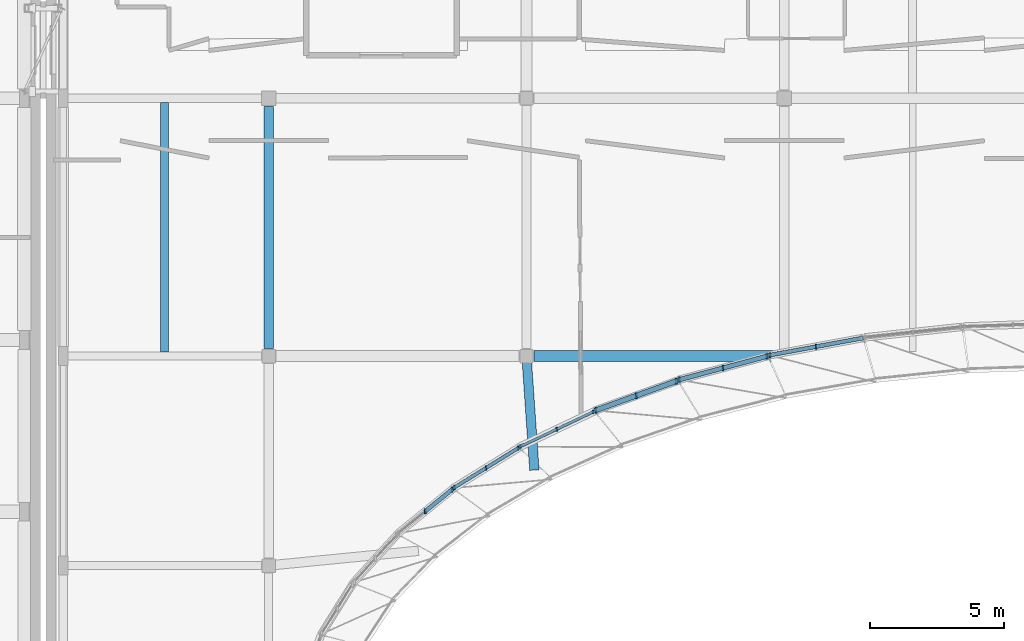
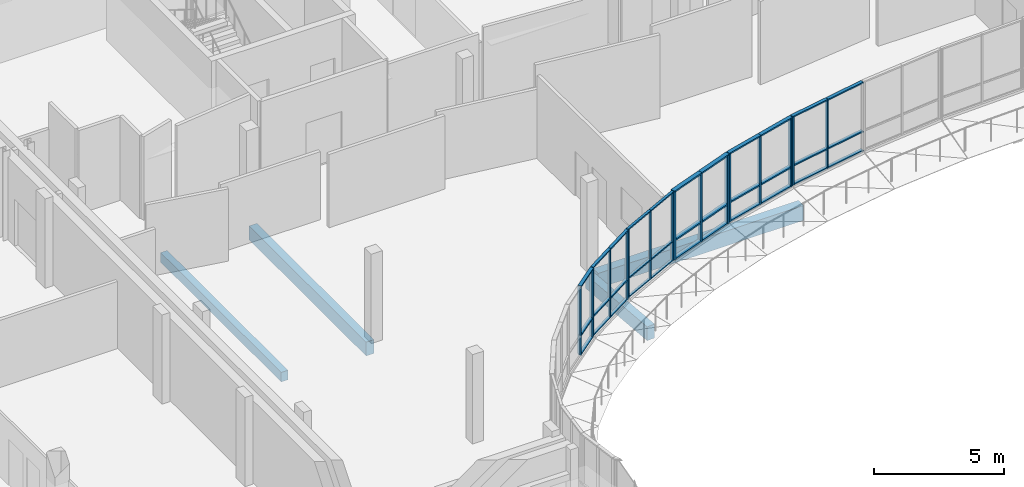
# One storey, part 21 of 84: 49 members, 4 beams, 6 elements without a shape of their own.
"""IFC4 building model written with IfcOpenShell, lengths in metres."""

from ifc_helpers import new_model, si_unit, direction, frame, origin, origin_2d, place, context, subcontext, project, spatial, rectangle, extrude, material, material_profile, profile_set, type_object, element, aggregate, save


model = new_model("IFC4")

# Units and contexts
model_context = context("Model", 3, precision=1e-05, world=origin(), true_north=direction((0.0, 1.0)))
body_context = subcontext(model_context, "Body", "Model", "MODEL_VIEW")
ifc_project = project(units=[si_unit("LENGTHUNIT", "METRE"), si_unit("AREAUNIT", "SQUARE_METRE"), si_unit("VOLUMEUNIT", "CUBIC_METRE"), si_unit("PLANEANGLEUNIT", "RADIAN"), si_unit("MASSUNIT", "GRAM", prefix="KILO")], contexts=[model_context])

# Site, building, storey
site_placement = place(None, origin())
site = spatial("IfcSite", under=ifc_project, at=site_placement, CompositionType="ELEMENT")
building_placement = place(site_placement, origin())
building = spatial("IfcBuilding", under=site, at=building_placement, Name="Mzevani Central Library", CompositionType="ELEMENT")
storey_placement = place(building_placement, frame((0.0, 0.0, 5.39990234375)))
storey = spatial("IfcBuildingStorey", under=building, at=storey_placement, Name="L01", CompositionType="ELEMENT", Elevation=5.39990234375)

# Beams
ifc_material_1 = material(Name="Concrete C35/45", Category="concrete")
ifc_material_profile_1 = material_profile(ifc_material_1, rectangle(XDim=0.35009765625, YDim=0.64990234375, at=origin_2d()), Name="RC B350x650")
ifc_profile_set_1 = profile_set([ifc_material_profile_1], Name="Concrete C35/45")
beam_type_1 = type_object("IfcBeamType", Name="Beam RC 350x650", PredefinedType="BEAM", material=ifc_profile_set_1)
beam_1_placement = place(storey_placement, frame((54.39990234375, 90.675048828125, -0.60498046875), z_axis=(0.0, 1.0, 0.0), x_axis=(-1.0, 0.0, 0.0)))
element("IfcBeam", 1, at=beam_1_placement, inside=storey, type_object=beam_type_1, Name="L01 V3 Frame Beam B-05 (500)", PredefinedType="BEAM", context=body_context, shape_type="SweptSolid", body=[
    extrude(rectangle(XDim=0.35009765625, YDim=0.64990234375, at=origin_2d()), origin(), (0.0, 0.0, 1.0), 9.02490234375),
])
beam_2_placement = place(storey_placement, frame((64.0, 90.39990234375, -0.60498046875), z_axis=(0.069097528107, -0.997609909539, 0.0), x_axis=(0.997609909539, 0.069097528107, 0.0)))
element("IfcBeam", 2, at=beam_2_placement, inside=storey, type_object=beam_type_1, Name="L01 V3 Court Ring Beam 13", PredefinedType="BEAM", context=body_context, shape_type="SweptSolid", body=[
    extrude(rectangle(XDim=0.35009765625, YDim=0.64990234375, at=origin_2d()), origin(), (0.0, 0.0, 1.0), 4.254150390625),
])
ifc_material_profile_2 = material_profile(ifc_material_1, rectangle(XDim=0.39990234375, YDim=0.699951171875, at=origin_2d()), Name="RC B400x700")
ifc_profile_set_2 = profile_set([ifc_material_profile_2], Name="Concrete C35/45")
beam_type_2 = type_object("IfcBeamType", Name="Beam RC 400x700", PredefinedType="BEAM", material=ifc_profile_set_2)
beam_3_placement = place(storey_placement, frame((64.27490234375, 90.39990234375, -0.6298828125), z_axis=(1.0, 0.0, 0.0), x_axis=(0.0, 1.0, 0.0)))
element("IfcBeam", 3, at=beam_3_placement, inside=storey, type_object=beam_type_2, Name="L01 V3 Girder B-08 (455)", PredefinedType="BEAM", context=body_context, shape_type="SweptSolid", body=[
    extrude(rectangle(XDim=0.39990234375, YDim=0.699951171875, at=origin_2d()), origin(), (0.0, 0.0, 1.0), 9.150146484375),
])

# Curtain wall, members
ifc_material_2 = material(Name="Thermally broken aluminium and Low-E triple glazing", Category="aluminium")
curtain_wall_type_1 = type_object("IfcCurtainWallType", Name="Elliptical Court Unitised Curtain Wall", PredefinedType="NOTDEFINED", material=ifc_material_2)
curtain_wall_1_placement = place(storey_placement, origin())
curtain_wall_1 = element("IfcCurtainWall", 4, at=curtain_wall_1_placement, inside=storey, type_object=curtain_wall_type_1, Name="L01 Elliptical Court Curtain Wall 18", PredefinedType="NOTDEFINED")
ifc_material_3 = material(Name="Thermally broken aluminium AW-6060", Category="aluminium")
ifc_material_profile_3 = material_profile(ifc_material_3, rectangle(XDim=0.06005859375, YDim=0.139892578125, at=origin_2d()), Name="ALU M60x140")
ifc_profile_set_3 = profile_set([ifc_material_profile_3], Name="Thermally broken aluminium AW-6060")
member_type_1 = type_object("IfcMemberType", Name="CW Mullion 60x140", PredefinedType="MULLION", material=ifc_profile_set_3)
member_1_placement = place(storey_placement, frame((66.47900390625, 88.32177734375, 0.72021484375), z_axis=(0.0, 0.0, 1.0), x_axis=(1.0, 0.0, 0.0)))
member_1 = element("IfcMember", 5, at=member_1_placement, type_object=member_type_1, Name="L01 Elliptical Court Curtain Wall 18 Mullion 1", PredefinedType="MULLION", context=body_context, shape_type="SweptSolid", body=[
    extrude(rectangle(XDim=0.06005859375, YDim=0.139892578125, at=origin_2d()), origin(), (0.0, 0.0, 1.0), 3.199951171875),
])
member_2_placement = place(storey_placement, frame((65.127685546875, 87.678466796875, 0.72021484375), z_axis=(0.0, 0.0, 1.0), x_axis=(1.0, 0.0, 0.0)))
member_2 = element("IfcMember", 6, at=member_2_placement, type_object=member_type_1, Name="L01 Elliptical Court Curtain Wall 18 Mullion 2", PredefinedType="MULLION", context=body_context, shape_type="SweptSolid", body=[
    extrude(rectangle(XDim=0.06005859375, YDim=0.139892578125, at=origin_2d()), origin(), (0.0, 0.0, 1.0), 3.199951171875),
])
member_3_placement = place(storey_placement, frame((63.7763671875, 87.035400390625, 0.72021484375), z_axis=(0.0, 0.0, 1.0), x_axis=(1.0, 0.0, 0.0)))
member_3 = element("IfcMember", 7, at=member_3_placement, type_object=member_type_1, Name="L01 Elliptical Court Curtain Wall 18 Mullion 3", PredefinedType="MULLION", context=body_context, shape_type="SweptSolid", body=[
    extrude(rectangle(XDim=0.06005859375, YDim=0.139892578125, at=origin_2d()), origin(), (0.0, 0.0, 1.0), 3.199951171875),
])

curtain_wall_type_2 = type_object("IfcCurtainWallType", Name="Reading Hall Northlight Curtain Wall", PredefinedType="NOTDEFINED", material=ifc_material_2)
curtain_wall_2_placement = place(storey_placement, origin())
curtain_wall_2 = element("IfcCurtainWall", 8, at=curtain_wall_2_placement, inside=storey, type_object=curtain_wall_type_2, Name="L01 Elliptical Court Curtain Wall 19", PredefinedType="NOTDEFINED")
ifc_material_profile_4 = material_profile(ifc_material_3, rectangle(XDim=0.06005859375, YDim=0.159912109375, at=origin_2d()), Name="ALU M60x160")
ifc_profile_set_4 = profile_set([ifc_material_profile_4], Name="Thermally broken aluminium AW-6060")
member_type_2 = type_object("IfcMemberType", Name="CW Mullion 60x160", PredefinedType="MULLION", material=ifc_profile_set_4)
member_4_placement = place(storey_placement, frame((63.677001953125, 86.96630859375, 0.72021484375), z_axis=(0.0, 0.0, 1.0), x_axis=(1.0, 0.0, 0.0)))
member_4 = element("IfcMember", 9, at=member_4_placement, type_object=member_type_2, Name="L01 Elliptical Court Curtain Wall 19 Mullion 1", PredefinedType="MULLION", context=body_context, shape_type="SweptSolid", body=[
    extrude(rectangle(XDim=0.06005859375, YDim=0.159912109375, at=origin_2d()), origin(), (0.0, 0.0, 1.0), 3.199951171875),
])
member_5_placement = place(storey_placement, frame((62.494873046875, 86.23486328125, 0.72021484375), z_axis=(0.0, 0.0, 1.0), x_axis=(1.0, 0.0, 0.0)))
member_5 = element("IfcMember", 10, at=member_5_placement, type_object=member_type_2, Name="L01 Elliptical Court Curtain Wall 19 Mullion 2", PredefinedType="MULLION", context=body_context, shape_type="SweptSolid", body=[
    extrude(rectangle(XDim=0.06005859375, YDim=0.159912109375, at=origin_2d()), origin(), (0.0, 0.0, 1.0), 3.199951171875),
])
member_6_placement = place(storey_placement, frame((61.3125, 85.50341796875, 0.72021484375), z_axis=(0.0, 0.0, 1.0), x_axis=(1.0, 0.0, 0.0)))
member_6 = element("IfcMember", 11, at=member_6_placement, type_object=member_type_2, Name="L01 Elliptical Court Curtain Wall 19 Mullion 3", PredefinedType="MULLION", context=body_context, shape_type="SweptSolid", body=[
    extrude(rectangle(XDim=0.06005859375, YDim=0.159912109375, at=origin_2d()), origin(), (0.0, 0.0, 1.0), 3.199951171875),
])

curtain_wall_3_placement = place(storey_placement, origin())
curtain_wall_3 = element("IfcCurtainWall", 12, at=curtain_wall_3_placement, inside=storey, type_object=curtain_wall_type_1, Name="L01 Elliptical Court Curtain Wall 15", PredefinedType="NOTDEFINED")
ifc_material_profile_5 = material_profile(ifc_material_3, rectangle(XDim=0.06005859375, YDim=0.179931640625, at=origin_2d()), Name="ALU M60x180")
ifc_profile_set_5 = profile_set([ifc_material_profile_5], Name="Thermally broken aluminium AW-6060")
member_type_3 = type_object("IfcMemberType", Name="CW Mullion 60x180", PredefinedType="MULLION", material=ifc_profile_set_5)
member_7_placement = place(storey_placement, frame((74.77392578125, 90.749755859375, 0.72021484375), z_axis=(0.0, 0.0, 1.0), x_axis=(1.0, 0.0, 0.0)))
member_7 = element("IfcMember", 13, at=member_7_placement, type_object=member_type_3, Name="L01 Elliptical Court Curtain Wall 15 Mullion 2", PredefinedType="MULLION", context=body_context, shape_type="SweptSolid", body=[
    extrude(rectangle(XDim=0.06005859375, YDim=0.179931640625, at=origin_2d()), origin(), (0.0, 0.0, 1.0), 3.199951171875),
])
member_8_placement = place(storey_placement, frame((73.064208984375, 90.4345703125, 0.72021484375), z_axis=(0.0, 0.0, 1.0), x_axis=(1.0, 0.0, 0.0)))
member_8 = element("IfcMember", 14, at=member_8_placement, type_object=member_type_3, Name="L01 Elliptical Court Curtain Wall 15 Mullion 3", PredefinedType="MULLION", context=body_context, shape_type="SweptSolid", body=[
    extrude(rectangle(XDim=0.06005859375, YDim=0.179931640625, at=origin_2d()), origin(), (0.0, 0.0, 1.0), 3.199951171875),
])

curtain_wall_4_placement = place(storey_placement, origin())
curtain_wall_4 = element("IfcCurtainWall", 15, at=curtain_wall_4_placement, inside=storey, type_object=curtain_wall_type_1, Name="L01 Elliptical Court Curtain Wall 20", PredefinedType="NOTDEFINED")
member_9_placement = place(storey_placement, frame((61.22314453125, 85.42578125, 0.72021484375), z_axis=(0.0, 0.0, 1.0), x_axis=(1.0, 0.0, 0.0)))
member_9 = element("IfcMember", 16, at=member_9_placement, type_object=member_type_3, Name="L01 Elliptical Court Curtain Wall 20 Mullion 1", PredefinedType="MULLION", context=body_context, shape_type="SweptSolid", body=[
    extrude(rectangle(XDim=0.06005859375, YDim=0.179931640625, at=origin_2d()), origin(), (0.0, 0.0, 1.0), 3.199951171875),
])
member_10_placement = place(storey_placement, frame((60.22998046875, 84.619384765625, 0.72021484375), z_axis=(0.0, 0.0, 1.0), x_axis=(1.0, 0.0, 0.0)))
member_10 = element("IfcMember", 17, at=member_10_placement, type_object=member_type_3, Name="L01 Elliptical Court Curtain Wall 20 Mullion 2", PredefinedType="MULLION", context=body_context, shape_type="SweptSolid", body=[
    extrude(rectangle(XDim=0.06005859375, YDim=0.179931640625, at=origin_2d()), origin(), (0.0, 0.0, 1.0), 3.199951171875),
])

curtain_wall_5_placement = place(storey_placement, origin())
curtain_wall_5 = element("IfcCurtainWall", 18, at=curtain_wall_5_placement, inside=storey, type_object=curtain_wall_type_2, Name="L01 Elliptical Court Curtain Wall 16", PredefinedType="NOTDEFINED")
ifc_material_profile_6 = material_profile(ifc_material_3, rectangle(XDim=0.06494140625, YDim=0.199951171875, at=origin_2d()), Name="ALU M65x200")
ifc_profile_set_6 = profile_set([ifc_material_profile_6], Name="Thermally broken aluminium AW-6060")
member_type_4 = type_object("IfcMemberType", Name="CW Mullion 65x200", PredefinedType="MULLION", material=ifc_profile_set_6)
member_11_placement = place(storey_placement, frame((72.935546875, 90.388916015625, 0.72021484375), z_axis=(0.0, 0.0, 1.0), x_axis=(1.0, 0.0, 0.0)))
member_11 = element("IfcMember", 19, at=member_11_placement, type_object=member_type_4, Name="L01 Elliptical Court Curtain Wall 16 Mullion 1", PredefinedType="MULLION", context=body_context, shape_type="SweptSolid", body=[
    extrude(rectangle(XDim=0.06494140625, YDim=0.199951171875, at=origin_2d()), origin(), (0.0, 0.0, 1.0), 3.199951171875),
])
member_12_placement = place(storey_placement, frame((71.31787109375, 89.9560546875, 0.72021484375), z_axis=(0.0, 0.0, 1.0), x_axis=(1.0, 0.0, 0.0)))
member_12 = element("IfcMember", 20, at=member_12_placement, type_object=member_type_4, Name="L01 Elliptical Court Curtain Wall 16 Mullion 2", PredefinedType="MULLION", context=body_context, shape_type="SweptSolid", body=[
    extrude(rectangle(XDim=0.06494140625, YDim=0.199951171875, at=origin_2d()), origin(), (0.0, 0.0, 1.0), 3.199951171875),
])
member_13_placement = place(storey_placement, frame((69.7001953125, 89.523193359375, 0.72021484375), z_axis=(0.0, 0.0, 1.0), x_axis=(1.0, 0.0, 0.0)))
member_13 = element("IfcMember", 21, at=member_13_placement, type_object=member_type_4, Name="L01 Elliptical Court Curtain Wall 16 Mullion 3", PredefinedType="MULLION", context=body_context, shape_type="SweptSolid", body=[
    extrude(rectangle(XDim=0.06494140625, YDim=0.199951171875, at=origin_2d()), origin(), (0.0, 0.0, 1.0), 3.199951171875),
])

curtain_wall_6_placement = place(storey_placement, origin())
curtain_wall_6 = element("IfcCurtainWall", 22, at=curtain_wall_6_placement, inside=storey, type_object=curtain_wall_type_1, Name="L01 Elliptical Court Curtain Wall 17", PredefinedType="NOTDEFINED")
ifc_material_profile_7 = material_profile(ifc_material_3, rectangle(XDim=0.070068359375, YDim=0.219970703125, at=origin_2d()), Name="ALU M70x220")
ifc_profile_set_7 = profile_set([ifc_material_profile_7], Name="Thermally broken aluminium AW-6060")
member_type_5 = type_object("IfcMemberType", Name="CW Mullion 70x220", PredefinedType="MULLION", material=ifc_profile_set_7)
member_14_placement = place(storey_placement, frame((69.582275390625, 89.468994140625, 0.72021484375), z_axis=(0.0, 0.0, 1.0), x_axis=(1.0, 0.0, 0.0)))
member_14 = element("IfcMember", 23, at=member_14_placement, type_object=member_type_5, Name="L01 Elliptical Court Curtain Wall 17 Mullion 1", PredefinedType="MULLION", context=body_context, shape_type="SweptSolid", body=[
    extrude(rectangle(XDim=0.070068359375, YDim=0.219970703125, at=origin_2d()), origin(), (0.0, 0.0, 1.0), 3.199951171875),
])
member_15_placement = place(storey_placement, frame((68.084716796875, 88.926025390625, 0.72021484375), z_axis=(0.0, 0.0, 1.0), x_axis=(1.0, 0.0, 0.0)))
member_15 = element("IfcMember", 24, at=member_15_placement, type_object=member_type_5, Name="L01 Elliptical Court Curtain Wall 17 Mullion 2", PredefinedType="MULLION", context=body_context, shape_type="SweptSolid", body=[
    extrude(rectangle(XDim=0.070068359375, YDim=0.219970703125, at=origin_2d()), origin(), (0.0, 0.0, 1.0), 3.199951171875),
])
member_16_placement = place(storey_placement, frame((66.58740234375, 88.383056640625, 0.72021484375), z_axis=(0.0, 0.0, 1.0), x_axis=(1.0, 0.0, 0.0)))
member_16 = element("IfcMember", 25, at=member_16_placement, type_object=member_type_5, Name="L01 Elliptical Court Curtain Wall 17 Mullion 3", PredefinedType="MULLION", context=body_context, shape_type="SweptSolid", body=[
    extrude(rectangle(XDim=0.070068359375, YDim=0.219970703125, at=origin_2d()), origin(), (0.0, 0.0, 1.0), 3.199951171875),
])

# Member
ifc_material_profile_8 = material_profile(ifc_material_3, rectangle(XDim=0.110107421875, YDim=0.06005859375, at=origin_2d()), Name="ALU T60x110")
ifc_profile_set_8 = profile_set([ifc_material_profile_8], Name="Thermally broken aluminium AW-6060")
member_type_6 = type_object("IfcMemberType", Name="CW Transom 60x110", PredefinedType="USERDEFINED", material=ifc_profile_set_8)
member_17_placement = place(storey_placement, frame((66.524169921875, 88.34326171875, 0.72021484375), z_axis=(-0.902910114925, -0.429829413101, 0.0), x_axis=(0.429829413101, -0.902910114925, 0.0)))
member_17 = element("IfcMember", 26, at=member_17_placement, type_object=member_type_6, Name="L01 Elliptical Court Curtain Wall 18 Transom 1", ObjectType="TRANSOM", PredefinedType="USERDEFINED", context=body_context, shape_type="SweptSolid", body=[
    extrude(rectangle(XDim=0.110107421875, YDim=0.06005859375, at=origin_2d()), origin(), (0.0, 0.0, 1.0), 1.546630859375),
])

member_18_placement = place(storey_placement, frame((66.524169921875, 88.34326171875, 1.6201171875), z_axis=(-0.902910114925, -0.429829413101, 0.0), x_axis=(0.429829413101, -0.902910114925, 0.0)))
member_18 = element("IfcMember", 27, at=member_18_placement, type_object=member_type_6, Name="L01 Elliptical Court Curtain Wall 18 Transom 2", ObjectType="TRANSOM", PredefinedType="USERDEFINED", context=body_context, shape_type="SweptSolid", body=[
    extrude(rectangle(XDim=0.110107421875, YDim=0.06005859375, at=origin_2d()), origin(), (0.0, 0.0, 1.0), 1.546630859375),
])

member_19_placement = place(storey_placement, frame((66.524169921875, 88.34326171875, 3.920166015625), z_axis=(-0.902910114925, -0.429829413101, 0.0), x_axis=(0.429829413101, -0.902910114925, 0.0)))
member_19 = element("IfcMember", 28, at=member_19_placement, type_object=member_type_6, Name="L01 Elliptical Court Curtain Wall 18 Transom 3", ObjectType="TRANSOM", PredefinedType="USERDEFINED", context=body_context, shape_type="SweptSolid", body=[
    extrude(rectangle(XDim=0.110107421875, YDim=0.06005859375, at=origin_2d()), origin(), (0.0, 0.0, 1.0), 1.546630859375),
])

member_20_placement = place(storey_placement, frame((65.127685546875, 87.678466796875, 0.72021484375), z_axis=(-0.902971371622, -0.42970071216, 0.0), x_axis=(0.42970071216, -0.902971371622, 0.0)))
member_20 = element("IfcMember", 29, at=member_20_placement, type_object=member_type_6, Name="L01 Elliptical Court Curtain Wall 18 Transom 4", ObjectType="TRANSOM", PredefinedType="USERDEFINED", context=body_context, shape_type="SweptSolid", body=[
    extrude(rectangle(XDim=0.110107421875, YDim=0.06005859375, at=origin_2d()), origin(), (0.0, 0.0, 1.0), 1.546630859375),
])

member_21_placement = place(storey_placement, frame((65.127685546875, 87.678466796875, 1.6201171875), z_axis=(-0.902971371622, -0.42970071216, 0.0), x_axis=(0.42970071216, -0.902971371622, 0.0)))
member_21 = element("IfcMember", 30, at=member_21_placement, type_object=member_type_6, Name="L01 Elliptical Court Curtain Wall 18 Transom 5", ObjectType="TRANSOM", PredefinedType="USERDEFINED", context=body_context, shape_type="SweptSolid", body=[
    extrude(rectangle(XDim=0.110107421875, YDim=0.06005859375, at=origin_2d()), origin(), (0.0, 0.0, 1.0), 1.546630859375),
])

member_22_placement = place(storey_placement, frame((65.127685546875, 87.678466796875, 3.920166015625), z_axis=(-0.902971371622, -0.42970071216, 0.0), x_axis=(0.42970071216, -0.902971371622, 0.0)))
member_22 = element("IfcMember", 31, at=member_22_placement, type_object=member_type_6, Name="L01 Elliptical Court Curtain Wall 18 Transom 6", ObjectType="TRANSOM", PredefinedType="USERDEFINED", context=body_context, shape_type="SweptSolid", body=[
    extrude(rectangle(XDim=0.110107421875, YDim=0.06005859375, at=origin_2d()), origin(), (0.0, 0.0, 1.0), 1.546630859375),
])

aggregate(curtain_wall_1, [member_1, member_2, member_3, member_17, member_18, member_19, member_20, member_21, member_22])

ifc_material_profile_9 = material_profile(ifc_material_3, rectangle(XDim=0.1298828125, YDim=0.06005859375, at=origin_2d()), Name="ALU T60x130")
ifc_profile_set_9 = profile_set([ifc_material_profile_9], Name="Thermally broken aluminium AW-6060")
member_type_7 = type_object("IfcMemberType", Name="CW Transom 60x130", PredefinedType="USERDEFINED", material=ifc_profile_set_9)
member_23_placement = place(storey_placement, frame((63.719482421875, 86.99267578125, 0.72021484375), z_axis=(-0.850351844492, -0.526214538538, 0.0), x_axis=(0.526214538538, -0.850351844492, 0.0)))
member_23 = element("IfcMember", 32, at=member_23_placement, type_object=member_type_7, Name="L01 Elliptical Court Curtain Wall 19 Transom 1", ObjectType="TRANSOM", PredefinedType="USERDEFINED", context=body_context, shape_type="SweptSolid", body=[
    extrude(rectangle(XDim=0.1298828125, YDim=0.06005859375, at=origin_2d()), origin(), (0.0, 0.0, 1.0), 1.440185546875),
])

member_24_placement = place(storey_placement, frame((63.719482421875, 86.99267578125, 1.6201171875), z_axis=(-0.850351844492, -0.526214538538, 0.0), x_axis=(0.526214538538, -0.850351844492, 0.0)))
member_24 = element("IfcMember", 33, at=member_24_placement, type_object=member_type_7, Name="L01 Elliptical Court Curtain Wall 19 Transom 2", ObjectType="TRANSOM", PredefinedType="USERDEFINED", context=body_context, shape_type="SweptSolid", body=[
    extrude(rectangle(XDim=0.1298828125, YDim=0.06005859375, at=origin_2d()), origin(), (0.0, 0.0, 1.0), 1.440185546875),
])

member_25_placement = place(storey_placement, frame((63.719482421875, 86.99267578125, 3.920166015625), z_axis=(-0.850351844492, -0.526214538538, 0.0), x_axis=(0.526214538538, -0.850351844492, 0.0)))
member_25 = element("IfcMember", 34, at=member_25_placement, type_object=member_type_7, Name="L01 Elliptical Court Curtain Wall 19 Transom 3", ObjectType="TRANSOM", PredefinedType="USERDEFINED", context=body_context, shape_type="SweptSolid", body=[
    extrude(rectangle(XDim=0.1298828125, YDim=0.06005859375, at=origin_2d()), origin(), (0.0, 0.0, 1.0), 1.440185546875),
])

member_26_placement = place(storey_placement, frame((62.494873046875, 86.23486328125, 0.72021484375), z_axis=(-0.850398776908, -0.526138689162, 0.0), x_axis=(0.526138689162, -0.850398776908, 0.0)))
member_26 = element("IfcMember", 35, at=member_26_placement, type_object=member_type_7, Name="L01 Elliptical Court Curtain Wall 19 Transom 4", ObjectType="TRANSOM", PredefinedType="USERDEFINED", context=body_context, shape_type="SweptSolid", body=[
    extrude(rectangle(XDim=0.1298828125, YDim=0.06005859375, at=origin_2d()), origin(), (0.0, 0.0, 1.0), 1.4404296875),
])

member_27_placement = place(storey_placement, frame((62.494873046875, 86.23486328125, 1.6201171875), z_axis=(-0.850398776908, -0.526138689162, 0.0), x_axis=(0.526138689162, -0.850398776908, 0.0)))
member_27 = element("IfcMember", 36, at=member_27_placement, type_object=member_type_7, Name="L01 Elliptical Court Curtain Wall 19 Transom 5", ObjectType="TRANSOM", PredefinedType="USERDEFINED", context=body_context, shape_type="SweptSolid", body=[
    extrude(rectangle(XDim=0.1298828125, YDim=0.06005859375, at=origin_2d()), origin(), (0.0, 0.0, 1.0), 1.4404296875),
])

member_28_placement = place(storey_placement, frame((62.494873046875, 86.23486328125, 3.920166015625), z_axis=(-0.850398776908, -0.526138689162, 0.0), x_axis=(0.526138689162, -0.850398776908, 0.0)))
member_28 = element("IfcMember", 37, at=member_28_placement, type_object=member_type_7, Name="L01 Elliptical Court Curtain Wall 19 Transom 6", ObjectType="TRANSOM", PredefinedType="USERDEFINED", context=body_context, shape_type="SweptSolid", body=[
    extrude(rectangle(XDim=0.1298828125, YDim=0.06005859375, at=origin_2d()), origin(), (0.0, 0.0, 1.0), 1.4404296875),
])

aggregate(curtain_wall_2, [member_4, member_5, member_6, member_23, member_24, member_25, member_26, member_27, member_28])

ifc_material_profile_10 = material_profile(ifc_material_3, rectangle(XDim=0.14990234375, YDim=0.06005859375, at=origin_2d()), Name="ALU T60x150")
ifc_profile_set_10 = profile_set([ifc_material_profile_10], Name="Thermally broken aluminium AW-6060")
member_type_8 = type_object("IfcMemberType", Name="CW Transom 60x150", PredefinedType="USERDEFINED", material=ifc_profile_set_10)
member_29_placement = place(storey_placement, frame((76.532958984375, 91.07373046875, 0.72021484375), z_axis=(-0.983458947834, -0.181131162217, 0.0), x_axis=(0.181131162217, -0.983458947834, 0.0)))
member_29 = element("IfcMember", 38, at=member_29_placement, type_object=member_type_8, Name="L01 Elliptical Court Curtain Wall 15 Transom 1", ObjectType="TRANSOM", PredefinedType="USERDEFINED", context=body_context, shape_type="SweptSolid", body=[
    extrude(rectangle(XDim=0.14990234375, YDim=0.06005859375, at=origin_2d()), origin(), (0.0, 0.0, 1.0), 1.78857421875),
])

member_30_placement = place(storey_placement, frame((76.532958984375, 91.07373046875, 1.6201171875), z_axis=(-0.983458947834, -0.181131162217, 0.0), x_axis=(0.181131162217, -0.983458947834, 0.0)))
member_30 = element("IfcMember", 39, at=member_30_placement, type_object=member_type_8, Name="L01 Elliptical Court Curtain Wall 15 Transom 2", ObjectType="TRANSOM", PredefinedType="USERDEFINED", context=body_context, shape_type="SweptSolid", body=[
    extrude(rectangle(XDim=0.14990234375, YDim=0.06005859375, at=origin_2d()), origin(), (0.0, 0.0, 1.0), 1.78857421875),
])

member_31_placement = place(storey_placement, frame((76.532958984375, 91.07373046875, 3.920166015625), z_axis=(-0.983458947834, -0.181131162217, 0.0), x_axis=(0.181131162217, -0.983458947834, 0.0)))
member_31 = element("IfcMember", 40, at=member_31_placement, type_object=member_type_8, Name="L01 Elliptical Court Curtain Wall 15 Transom 3", ObjectType="TRANSOM", PredefinedType="USERDEFINED", context=body_context, shape_type="SweptSolid", body=[
    extrude(rectangle(XDim=0.14990234375, YDim=0.06005859375, at=origin_2d()), origin(), (0.0, 0.0, 1.0), 1.78857421875),
])

member_32_placement = place(storey_placement, frame((74.77392578125, 90.749755859375, 0.72021484375), z_axis=(-0.983430139146, -0.181287510381, 0.0), x_axis=(0.181287510381, -0.983430139146, 0.0)))
member_32 = element("IfcMember", 41, at=member_32_placement, type_object=member_type_8, Name="L01 Elliptical Court Curtain Wall 15 Transom 4", ObjectType="TRANSOM", PredefinedType="USERDEFINED", context=body_context, shape_type="SweptSolid", body=[
    extrude(rectangle(XDim=0.14990234375, YDim=0.06005859375, at=origin_2d()), origin(), (0.0, 0.0, 1.0), 1.788330078125),
])

member_33_placement = place(storey_placement, frame((74.77392578125, 90.749755859375, 1.6201171875), z_axis=(-0.983430139146, -0.181287510381, 0.0), x_axis=(0.181287510381, -0.983430139146, 0.0)))
member_33 = element("IfcMember", 42, at=member_33_placement, type_object=member_type_8, Name="L01 Elliptical Court Curtain Wall 15 Transom 5", ObjectType="TRANSOM", PredefinedType="USERDEFINED", context=body_context, shape_type="SweptSolid", body=[
    extrude(rectangle(XDim=0.14990234375, YDim=0.06005859375, at=origin_2d()), origin(), (0.0, 0.0, 1.0), 1.788330078125),
])

member_34_placement = place(storey_placement, frame((74.77392578125, 90.749755859375, 3.920166015625), z_axis=(-0.983430139146, -0.181287510381, 0.0), x_axis=(0.181287510381, -0.983430139146, 0.0)))
member_34 = element("IfcMember", 43, at=member_34_placement, type_object=member_type_8, Name="L01 Elliptical Court Curtain Wall 15 Transom 6", ObjectType="TRANSOM", PredefinedType="USERDEFINED", context=body_context, shape_type="SweptSolid", body=[
    extrude(rectangle(XDim=0.14990234375, YDim=0.06005859375, at=origin_2d()), origin(), (0.0, 0.0, 1.0), 1.788330078125),
])

aggregate(curtain_wall_3, [member_7, member_8, member_29, member_30, member_31, member_32, member_33, member_34])

member_35_placement = place(storey_placement, frame((61.261962890625, 85.45751953125, 0.72021484375), z_axis=(-0.776243179452, -0.63043360186, 0.0), x_axis=(0.63043360186, -0.776243179452, 0.0)))
member_35 = element("IfcMember", 44, at=member_35_placement, type_object=member_type_8, Name="L01 Elliptical Court Curtain Wall 20 Transom 1", ObjectType="TRANSOM", PredefinedType="USERDEFINED", context=body_context, shape_type="SweptSolid", body=[
    extrude(rectangle(XDim=0.14990234375, YDim=0.06005859375, at=origin_2d()), origin(), (0.0, 0.0, 1.0), 1.329345703125),
])

member_36_placement = place(storey_placement, frame((61.261962890625, 85.45751953125, 1.6201171875), z_axis=(-0.776243179452, -0.63043360186, 0.0), x_axis=(0.63043360186, -0.776243179452, 0.0)))
member_36 = element("IfcMember", 45, at=member_36_placement, type_object=member_type_8, Name="L01 Elliptical Court Curtain Wall 20 Transom 2", ObjectType="TRANSOM", PredefinedType="USERDEFINED", context=body_context, shape_type="SweptSolid", body=[
    extrude(rectangle(XDim=0.14990234375, YDim=0.06005859375, at=origin_2d()), origin(), (0.0, 0.0, 1.0), 1.329345703125),
])

member_37_placement = place(storey_placement, frame((61.261962890625, 85.45751953125, 3.920166015625), z_axis=(-0.776243179452, -0.63043360186, 0.0), x_axis=(0.63043360186, -0.776243179452, 0.0)))
member_37 = element("IfcMember", 46, at=member_37_placement, type_object=member_type_8, Name="L01 Elliptical Court Curtain Wall 20 Transom 3", ObjectType="TRANSOM", PredefinedType="USERDEFINED", context=body_context, shape_type="SweptSolid", body=[
    extrude(rectangle(XDim=0.14990234375, YDim=0.06005859375, at=origin_2d()), origin(), (0.0, 0.0, 1.0), 1.329345703125),
])

aggregate(curtain_wall_4, [member_9, member_10, member_35, member_36, member_37])

ifc_material_profile_11 = material_profile(ifc_material_3, rectangle(XDim=0.169921875, YDim=0.06494140625, at=origin_2d()), Name="ALU T65x170")
ifc_profile_set_11 = profile_set([ifc_material_profile_11], Name="Thermally broken aluminium AW-6060")
member_type_9 = type_object("IfcMemberType", Name="CW Transom 65x170", PredefinedType="USERDEFINED", material=ifc_profile_set_11)
member_38_placement = place(storey_placement, frame((72.98388671875, 90.40185546875, 0.72021484375), z_axis=(-0.966013725651, -0.258490777116, 0.0), x_axis=(0.258490777116, -0.966013725651, 0.0)))
member_38 = element("IfcMember", 47, at=member_38_placement, type_object=member_type_9, Name="L01 Elliptical Court Curtain Wall 16 Transom 1", ObjectType="TRANSOM", PredefinedType="USERDEFINED", context=body_context, shape_type="SweptSolid", body=[
    extrude(rectangle(XDim=0.169921875, YDim=0.06494140625, at=origin_2d()), origin(), (0.0, 0.0, 1.0), 1.724609375),
])

member_39_placement = place(storey_placement, frame((72.98388671875, 90.40185546875, 1.6201171875), z_axis=(-0.966013725651, -0.258490777116, 0.0), x_axis=(0.258490777116, -0.966013725651, 0.0)))
member_39 = element("IfcMember", 48, at=member_39_placement, type_object=member_type_9, Name="L01 Elliptical Court Curtain Wall 16 Transom 2", ObjectType="TRANSOM", PredefinedType="USERDEFINED", context=body_context, shape_type="SweptSolid", body=[
    extrude(rectangle(XDim=0.169921875, YDim=0.06494140625, at=origin_2d()), origin(), (0.0, 0.0, 1.0), 1.724609375),
])

member_40_placement = place(storey_placement, frame((72.98388671875, 90.40185546875, 3.920166015625), z_axis=(-0.966013725651, -0.258490777116, 0.0), x_axis=(0.258490777116, -0.966013725651, 0.0)))
member_40 = element("IfcMember", 49, at=member_40_placement, type_object=member_type_9, Name="L01 Elliptical Court Curtain Wall 16 Transom 3", ObjectType="TRANSOM", PredefinedType="USERDEFINED", context=body_context, shape_type="SweptSolid", body=[
    extrude(rectangle(XDim=0.169921875, YDim=0.06494140625, at=origin_2d()), origin(), (0.0, 0.0, 1.0), 1.724609375),
])

member_41_placement = place(storey_placement, frame((71.31787109375, 89.9560546875, 0.72021484375), z_axis=(-0.966004264947, -0.258526130411, 0.0), x_axis=(0.258526130411, -0.966004264947, 0.0)))
member_41 = element("IfcMember", 50, at=member_41_placement, type_object=member_type_9, Name="L01 Elliptical Court Curtain Wall 16 Transom 4", ObjectType="TRANSOM", PredefinedType="USERDEFINED", context=body_context, shape_type="SweptSolid", body=[
    extrude(rectangle(XDim=0.169921875, YDim=0.06494140625, at=origin_2d()), origin(), (0.0, 0.0, 1.0), 1.724365234375),
])

member_42_placement = place(storey_placement, frame((71.31787109375, 89.9560546875, 1.6201171875), z_axis=(-0.966004264947, -0.258526130411, 0.0), x_axis=(0.258526130411, -0.966004264947, 0.0)))
member_42 = element("IfcMember", 51, at=member_42_placement, type_object=member_type_9, Name="L01 Elliptical Court Curtain Wall 16 Transom 5", ObjectType="TRANSOM", PredefinedType="USERDEFINED", context=body_context, shape_type="SweptSolid", body=[
    extrude(rectangle(XDim=0.169921875, YDim=0.06494140625, at=origin_2d()), origin(), (0.0, 0.0, 1.0), 1.724365234375),
])

member_43_placement = place(storey_placement, frame((71.31787109375, 89.9560546875, 3.920166015625), z_axis=(-0.966004264947, -0.258526130411, 0.0), x_axis=(0.258526130411, -0.966004264947, 0.0)))
member_43 = element("IfcMember", 52, at=member_43_placement, type_object=member_type_9, Name="L01 Elliptical Court Curtain Wall 16 Transom 6", ObjectType="TRANSOM", PredefinedType="USERDEFINED", context=body_context, shape_type="SweptSolid", body=[
    extrude(rectangle(XDim=0.169921875, YDim=0.06494140625, at=origin_2d()), origin(), (0.0, 0.0, 1.0), 1.724365234375),
])

aggregate(curtain_wall_5, [member_11, member_12, member_13, member_38, member_39, member_40, member_41, member_42, member_43])

ifc_material_profile_12 = material_profile(ifc_material_3, rectangle(XDim=0.18994140625, YDim=0.070068359375, at=origin_2d()), Name="ALU T70x190")
ifc_profile_set_12 = profile_set([ifc_material_profile_12], Name="Thermally broken aluminium AW-6060")
member_type_10 = type_object("IfcMemberType", Name="CW Transom 70x190", PredefinedType="USERDEFINED", material=ifc_profile_set_12)
member_44_placement = place(storey_placement, frame((69.629150390625, 89.486083984375, 0.72021484375), z_axis=(-0.940096777535, -0.340907683792, 0.0), x_axis=(0.340907683792, -0.940096777535, 0.0)))
member_44 = element("IfcMember", 53, at=member_44_placement, type_object=member_type_10, Name="L01 Elliptical Court Curtain Wall 17 Transom 1", ObjectType="TRANSOM", PredefinedType="USERDEFINED", context=body_context, shape_type="SweptSolid", body=[
    extrude(rectangle(XDim=0.18994140625, YDim=0.070068359375, at=origin_2d()), origin(), (0.0, 0.0, 1.0), 1.642822265625),
])

member_45_placement = place(storey_placement, frame((69.629150390625, 89.486083984375, 1.6201171875), z_axis=(-0.940096777535, -0.340907683792, 0.0), x_axis=(0.340907683792, -0.940096777535, 0.0)))
member_45 = element("IfcMember", 54, at=member_45_placement, type_object=member_type_10, Name="L01 Elliptical Court Curtain Wall 17 Transom 2", ObjectType="TRANSOM", PredefinedType="USERDEFINED", context=body_context, shape_type="SweptSolid", body=[
    extrude(rectangle(XDim=0.18994140625, YDim=0.070068359375, at=origin_2d()), origin(), (0.0, 0.0, 1.0), 1.642822265625),
])

member_46_placement = place(storey_placement, frame((69.629150390625, 89.486083984375, 3.920166015625), z_axis=(-0.940096777535, -0.340907683792, 0.0), x_axis=(0.340907683792, -0.940096777535, 0.0)))
member_46 = element("IfcMember", 55, at=member_46_placement, type_object=member_type_10, Name="L01 Elliptical Court Curtain Wall 17 Transom 3", ObjectType="TRANSOM", PredefinedType="USERDEFINED", context=body_context, shape_type="SweptSolid", body=[
    extrude(rectangle(XDim=0.18994140625, YDim=0.070068359375, at=origin_2d()), origin(), (0.0, 0.0, 1.0), 1.642822265625),
])

member_47_placement = place(storey_placement, frame((68.084716796875, 88.926025390625, 0.72021484375), z_axis=(-0.940144397718, -0.340776336384, 0.0), x_axis=(0.340776336384, -0.940144397718, 0.0)))
member_47 = element("IfcMember", 56, at=member_47_placement, type_object=member_type_10, Name="L01 Elliptical Court Curtain Wall 17 Transom 4", ObjectType="TRANSOM", PredefinedType="USERDEFINED", context=body_context, shape_type="SweptSolid", body=[
    extrude(rectangle(XDim=0.18994140625, YDim=0.070068359375, at=origin_2d()), origin(), (0.0, 0.0, 1.0), 1.642822265625),
])

member_48_placement = place(storey_placement, frame((68.084716796875, 88.926025390625, 1.6201171875), z_axis=(-0.940144397718, -0.340776336384, 0.0), x_axis=(0.340776336384, -0.940144397718, 0.0)))
member_48 = element("IfcMember", 57, at=member_48_placement, type_object=member_type_10, Name="L01 Elliptical Court Curtain Wall 17 Transom 5", ObjectType="TRANSOM", PredefinedType="USERDEFINED", context=body_context, shape_type="SweptSolid", body=[
    extrude(rectangle(XDim=0.18994140625, YDim=0.070068359375, at=origin_2d()), origin(), (0.0, 0.0, 1.0), 1.642822265625),
])

member_49_placement = place(storey_placement, frame((68.084716796875, 88.926025390625, 3.920166015625), z_axis=(-0.940144397718, -0.340776336384, 0.0), x_axis=(0.340776336384, -0.940144397718, 0.0)))
member_49 = element("IfcMember", 58, at=member_49_placement, type_object=member_type_10, Name="L01 Elliptical Court Curtain Wall 17 Transom 6", ObjectType="TRANSOM", PredefinedType="USERDEFINED", context=body_context, shape_type="SweptSolid", body=[
    extrude(rectangle(XDim=0.18994140625, YDim=0.070068359375, at=origin_2d()), origin(), (0.0, 0.0, 1.0), 1.642822265625),
])

aggregate(curtain_wall_6, [member_14, member_15, member_16, member_44, member_45, member_46, member_47, member_48, member_49])

# Beam
ifc_material_profile_13 = material_profile(ifc_material_1, rectangle(XDim=0.300048828125, YDim=0.449951171875, at=origin_2d()), Name="RC J300x450")
ifc_profile_set_13 = profile_set([ifc_material_profile_13], Name="Concrete C35/45")
beam_type_3 = type_object("IfcBeamType", Name="Floor Joist RC 300x450", PredefinedType="JOIST", material=ifc_profile_set_13)
beam_4_placement = place(storey_placement, frame((50.52490234375, 90.550048828125, -0.5048828125), z_axis=(0.0, 1.0, 0.0), x_axis=(-1.0, 0.0, 0.0)))
element("IfcBeam", 59, at=beam_4_placement, inside=storey, type_object=beam_type_3, Name="L01 V3 Floor Joist BJ-03 (539)", PredefinedType="JOIST", context=body_context, shape_type="SweptSolid", body=[
    extrude(rectangle(XDim=0.300048828125, YDim=0.449951171875, at=origin_2d()), origin(), (0.0, 0.0, 1.0), 9.300048828125),
])

save(model, "model.ifc")
